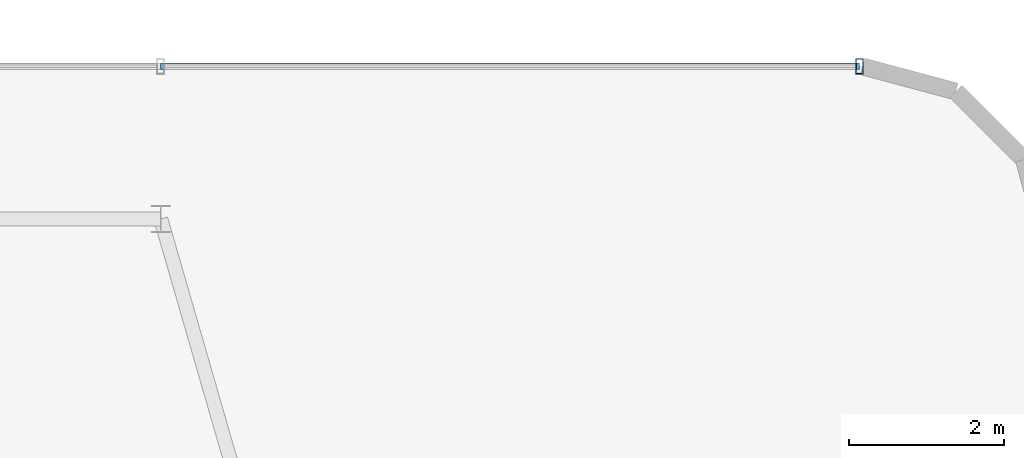
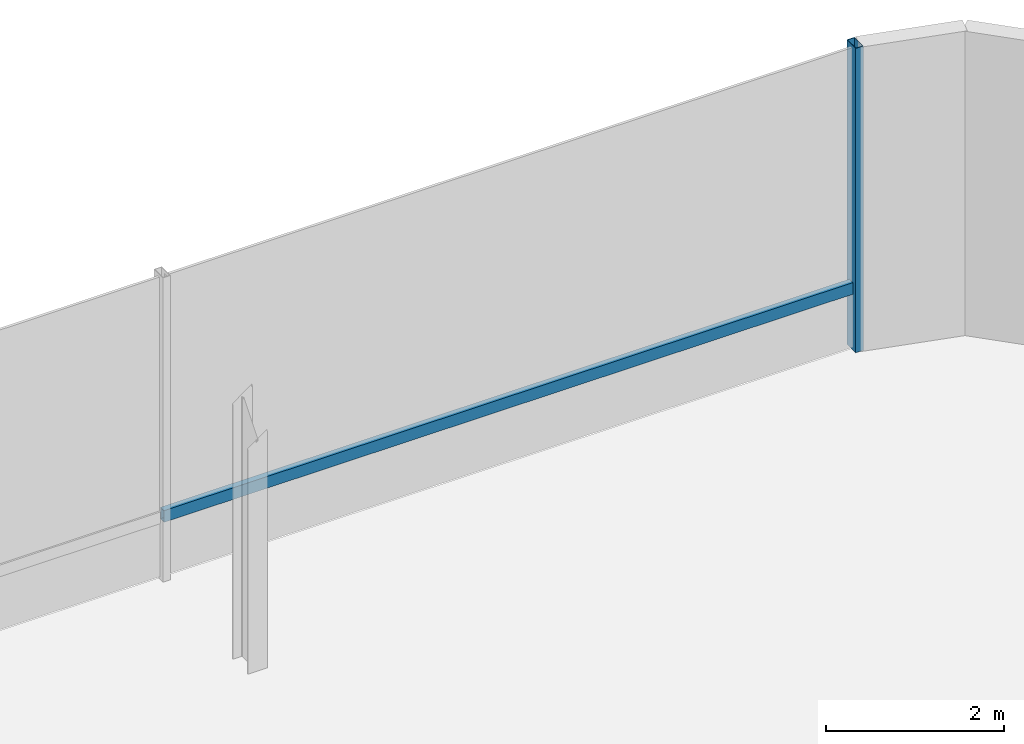
# One storey, part 17 of 32: 2 members, 1 element without a shape of its own.
"""IFC4 building model written with IfcOpenShell, lengths in metres."""

import ifcopenshell
import ifcopenshell.guid

model = None  # the IFC model being written
_history = None  # IfcOwnerHistory: only IFC2X3 demands one
_inside = {}  # id of a spatial element -> (the spatial element, [elements in it])
_under = {}  # id of a project, library or spatial element -> (it, [spatial elements below it])
_declared = {}  # id of a project -> (the project, [libraries it declares])
_typed = {}  # id of a type object -> (the type object, [elements of that type])
_made_of = {}  # id of a material, layer set ... -> (it, [elements and type objects made of it])


def new_model(schema):
    """Start an empty IFC model of exactly this schema.

    Asked for "IFC4X3", IfcOpenShell would pick the latest addendum, in which some entities
    have other attributes; the version numbers below select the first issue.
    IFC2X3 requires an IfcOwnerHistory on every rooted entity: one is made here for all.
    """
    global model, _history
    if schema == "IFC4X3":
        model = ifcopenshell.file(schema_version=(4, 3, 0, 0))
    else:
        model = ifcopenshell.file(schema=schema)
    _inside.clear()
    _under.clear()
    _declared.clear()
    _typed.clear()
    _made_of.clear()
    _history = None
    if model.schema == "IFC2X3":
        org = make("IfcOrganization", Name="unknown")
        user = make(
            "IfcPersonAndOrganization",
            ThePerson=make("IfcPerson", FamilyName="unknown"),
            TheOrganization=org,
        )
        app = make(
            "IfcApplication",
            ApplicationDeveloper=org,
            Version="unknown",
            ApplicationFullName="unknown",
            ApplicationIdentifier="unknown",
        )
        _history = make(
            "IfcOwnerHistory",
            OwningUser=user,
            OwningApplication=app,
            ChangeAction="ADDED",
            CreationDate=0,
        )
    return model


def make(cls, **values):
    """One entity of the class cls with the attributes given. An attribute that is None is left unset."""
    return model.create_entity(
        cls, **{name: value for name, value in values.items() if value is not None}
    )


def rooted(cls, **values):
    """An entity with a GlobalId (a new one), such as an element, a storey or a relation."""
    return make(cls, GlobalId=ifcopenshell.guid.new(), OwnerHistory=_history, **values)


def si_unit(unit_type, name, prefix=None):
    """IfcSIUnit, for example si_unit("LENGTHUNIT", "METRE", prefix="MILLI")."""
    return make("IfcSIUnit", UnitType=unit_type, Prefix=prefix, Name=name)


def assignment(units):
    """IfcUnitAssignment: the units of a project."""
    return None if units is None else make("IfcUnitAssignment", Units=units)


def point(xyz):
    """IfcCartesianPoint."""
    return None if xyz is None else make("IfcCartesianPoint", Coordinates=xyz)


def direction(xyz):
    """IfcDirection."""
    return None if xyz is None else make("IfcDirection", DirectionRatios=xyz)


def frame(location, z_axis=None, x_axis=None):
    """IfcAxis2Placement3D, a coordinate frame: its origin and axes. An axis left out is left unset."""
    return make(
        "IfcAxis2Placement3D",
        Location=point(location),
        Axis=direction(z_axis),
        RefDirection=direction(x_axis),
    )


def frame_2d(location, x_axis=None):
    """IfcAxis2Placement2D, a coordinate frame in the plane: its origin and x axis."""
    return make(
        "IfcAxis2Placement2D", Location=point(location), RefDirection=direction(x_axis)
    )


def origin():
    """The frame at (0, 0, 0) with its axes left unset."""
    return frame((0.0, 0.0, 0.0))


def origin_2d():
    """The frame at (0, 0) in the plane with its x axis left unset."""
    return frame_2d((0.0, 0.0))


def place(relative_to, where):
    """IfcLocalPlacement: puts the frame where relative to a parent placement (None: the world)."""
    return make(
        "IfcLocalPlacement", PlacementRelTo=relative_to, RelativePlacement=where
    )


def context(
    kind, dimensions, precision=None, world=None, true_north=None, identifier=None
):
    """IfcGeometricRepresentationContext, for example the 3D "Model" context."""
    return make(
        "IfcGeometricRepresentationContext",
        ContextIdentifier=identifier,
        ContextType=kind,
        CoordinateSpaceDimension=dimensions,
        Precision=precision,
        WorldCoordinateSystem=world,
        TrueNorth=true_north,
    )


def subcontext(parent, identifier, kind, view, scale=None):
    """IfcGeometricRepresentationSubContext, for example "Body" below "Model"."""
    return make(
        "IfcGeometricRepresentationSubContext",
        ContextIdentifier=identifier,
        ContextType=kind,
        ParentContext=parent,
        TargetScale=scale,
        TargetView=view,
    )


def project(units=None, contexts=None):
    """IfcProject with its units and contexts."""
    return rooted(
        "IfcProject",
        Name="project",
        RepresentationContexts=contexts,
        UnitsInContext=assignment(units),
    )


def spatial(cls, under=None, at=None, **own):
    """A site, building, storey or space (cls), placed at a placement, below another one or the project."""
    s = rooted(cls, ObjectPlacement=at, **own)
    if under is not None:
        _under.setdefault(under.id(), (under, []))[1].append(s)
    return s


def profile(cls, at=None, kind="AREA", **sizes):
    """A parametric profile (cls). Its sizes go by their IFC names, for example OverallWidth=200.0."""
    return make(cls, ProfileType=kind, Position=at, **sizes)


def hollow_rectangle(**sizes):
    """IfcRectangleHollowProfileDef."""
    return profile("IfcRectangleHollowProfileDef", **sizes)


def extrude(swept, where, along, depth):
    """IfcExtrudedAreaSolid: the profile swept, set in the frame where, extruded along a direction by depth."""
    return make(
        "IfcExtrudedAreaSolid",
        SweptArea=swept,
        Position=where,
        ExtrudedDirection=direction(along),
        Depth=depth,
    )


def shape(context_of_items, identifier, shape_type, items):
    """IfcShapeRepresentation: the items that make up one representation, for example the "Body"."""
    return make(
        "IfcShapeRepresentation",
        ContextOfItems=context_of_items,
        RepresentationIdentifier=identifier,
        RepresentationType=shape_type,
        Items=items,
    )


def source(mapping_origin, context_of_items, identifier, shape_type, items):
    """IfcRepresentationMap: a shape defined once, which mapped items show again and again."""
    return make(
        "IfcRepresentationMap",
        MappingOrigin=mapping_origin,
        MappedRepresentation=shape(context_of_items, identifier, shape_type, items),
    )


def transform(
    local_origin,
    x_axis=None,
    y_axis=None,
    z_axis=None,
    scale=None,
    scale2=None,
    scale3=None,
    uniform=True,
):
    """IfcCartesianTransformationOperator3D, or its non-uniform kind. x_axis, y_axis, z_axis: its Axis1, 2, 3."""
    if uniform:
        return make(
            "IfcCartesianTransformationOperator3D",
            Axis1=direction(x_axis),
            Axis2=direction(y_axis),
            LocalOrigin=point(local_origin),
            Scale=scale,
            Axis3=direction(z_axis),
        )
    return make(
        "IfcCartesianTransformationOperator3DnonUniform",
        Axis1=direction(x_axis),
        Axis2=direction(y_axis),
        LocalOrigin=point(local_origin),
        Scale=scale,
        Axis3=direction(z_axis),
        Scale2=scale2,
        Scale3=scale3,
    )


def mapped(mapping_source, mapping_target):
    """IfcMappedItem: shows the shape of a source again, moved by a transform."""
    return make(
        "IfcMappedItem", MappingSource=mapping_source, MappingTarget=mapping_target
    )


def material(Name=None, Category=None):
    """IfcMaterial."""
    return make("IfcMaterial", Name=Name, Category=Category)


def material_profile(
    of_material, cross_section, Name=None, Category=None, Priority=None
):
    """IfcMaterialProfile: a cross section and its material."""
    return make(
        "IfcMaterialProfile",
        Name=Name,
        Material=of_material,
        Profile=cross_section,
        Priority=Priority,
        Category=Category,
    )


def profile_set(profiles, Name=None, composite=None):
    """IfcMaterialProfileSet."""
    return make(
        "IfcMaterialProfileSet",
        Name=Name,
        MaterialProfiles=profiles,
        CompositeProfile=composite,
    )


def made_of(thing, what):
    """Note that an element or type object is made of a material, layer set ...; save() writes the relation."""
    if what is not None:
        _made_of.setdefault(what.id(), (what, []))[1].append(thing)
    return thing


def type_object(cls, material=None, **own):
    """A type object (cls), such as IfcWallType, which elements share."""
    return made_of(rooted(cls, **own), material)


def element(
    cls,
    number,
    at=None,
    inside=None,
    cuts=None,
    type_object=None,
    material=None,
    context=None,
    identifier="Body",
    shape_type=None,
    held_by="IfcProductDefinitionShape",
    body=None,
    shapes=None,
    **own,
):
    """One element of the class cls, such as IfcWall. Its Tag is "e" and its number.

    at: its placement. inside: the storey or other place that contains it. cuts: it is an
    opening in that element (IfcRelVoidsElement). A single representation is given by context,
    identifier, shape_type and body (its items); several are given by shapes. held_by: the class
    of the entity that holds the representations. save() writes the other relations.
    """
    e = rooted(cls, Tag="e%d" % number, ObjectPlacement=at, **own)
    if body is not None:
        shapes = [shape(context, identifier, shape_type, body)]
    if shapes is not None:
        e.Representation = make(held_by, Representations=shapes)
    if inside is not None:
        _inside.setdefault(inside.id(), (inside, []))[1].append(e)
    if cuts is not None:
        rooted(
            "IfcRelVoidsElement", RelatingBuildingElement=cuts, RelatedOpeningElement=e
        )
    if type_object is not None:
        _typed.setdefault(type_object.id(), (type_object, []))[1].append(e)
    return made_of(e, material)


def aggregate(whole, parts):
    """IfcRelAggregates: a whole, such as a stair, and the parts it consists of."""
    return rooted("IfcRelAggregates", RelatingObject=whole, RelatedObjects=parts)


def save(model, path):
    """Write the relations noted so far, then the file.

    IfcRelAggregates (storeys below a building ...), IfcRelContainedInSpatialStructure (elements
    in a storey), IfcRelDefinesByType, IfcRelAssociatesMaterial and IfcRelDeclares: one each for
    every whole, place, type object, material and project.
    """
    for whole, parts in _under.values():
        aggregate(whole, parts)
    for where, things in _inside.values():
        rooted(
            "IfcRelContainedInSpatialStructure",
            RelatedElements=things,
            RelatingStructure=where,
        )
    for kind, things in _typed.values():
        rooted("IfcRelDefinesByType", RelatedObjects=things, RelatingType=kind)
    for what, things in _made_of.values():
        rooted("IfcRelAssociatesMaterial", RelatedObjects=things, RelatingMaterial=what)
    for by, libraries in _declared.values():
        rooted("IfcRelDeclares", RelatingContext=by, RelatedDefinitions=libraries)
    model.write(path)


model = new_model("IFC4")

# Units and contexts
model_context = context("Model", 3, precision=1e-05, world=origin(), true_north=direction((0.0, 1.0)))
body_context = subcontext(model_context, "Body", "Model", "MODEL_VIEW")
ifc_project = project(units=[si_unit("LENGTHUNIT", "METRE"), si_unit("AREAUNIT", "SQUARE_METRE"), si_unit("VOLUMEUNIT", "CUBIC_METRE"), si_unit("PLANEANGLEUNIT", "RADIAN"), si_unit("MASSUNIT", "GRAM", prefix="KILO")], contexts=[model_context])

# Site, building, storey
site_placement = place(None, origin())
site = spatial("IfcSite", under=ifc_project, at=site_placement, CompositionType="ELEMENT")
building_placement = place(site_placement, origin())
building = spatial("IfcBuilding", under=site, at=building_placement, Name="Sahyath Konkavel Grand Hotel", CompositionType="ELEMENT")
storey_placement = place(building_placement, frame((0.0, 0.0, 14.10009765625)))
storey = spatial("IfcBuildingStorey", under=building, at=storey_placement, Name="L03", CompositionType="ELEMENT", Elevation=14.10009765625)

# Curtain wall, members
ifc_material_1 = material(Name="Anodised Bronze Aluminium & Low-E Glazing", Category="aluminium")
curtain_wall_type = type_object("IfcCurtainWallType", Name="CW-PODIUM", PredefinedType="NOTDEFINED", material=ifc_material_1)
curtain_wall_placement = place(storey_placement, origin())
curtain_wall = element("IfcCurtainWall", 1, at=curtain_wall_placement, inside=storey, type_object=curtain_wall_type, Name="L03 Unitised Curtain Wall N", PredefinedType="NOTDEFINED")
ifc_material_2 = material(Name="Anodised Bronze Aluminium", Category="aluminium")
ifc_material_profile_1 = material_profile(ifc_material_2, hollow_rectangle(XDim=0.10009765625, YDim=0.199951171875, WallThickness=0.008056640625, at=origin_2d()), Name="RHS 200x100x8")
ifc_profile_set_1 = profile_set([ifc_material_profile_1], Name="Anodised Bronze Aluminium")
member_type_1 = type_object("IfcMemberType", Name="CW-MUL-200", PredefinedType="MULLION", material=ifc_profile_set_1)
shared_shape_1 = source(origin(), body_context, "Body", "SweptSolid", [
    extrude(hollow_rectangle(XDim=0.10009765625, YDim=0.199951171875, WallThickness=0.008056640625, at=origin_2d()), origin(), (0.0, 0.0, 1.0), 4.179931640625),
])
member_1_placement = place(storey_placement, frame((26.99609375, 22.465087890625, 0.0), z_axis=(0.0, 0.0, 1.0), x_axis=(1.0, 0.0, 0.0)))
member_1 = element("IfcMember", 2, at=member_1_placement, type_object=member_type_1, Name="L03 Curtain Wall Mullion N-0", PredefinedType="MULLION", context=body_context, shape_type="MappedRepresentation", body=[
    mapped(shared_shape_1, transform((0.0, 0.0, 0.0), scale=1.0)),
])
ifc_material_profile_2 = material_profile(ifc_material_2, hollow_rectangle(XDim=0.080078125, YDim=0.159912109375, WallThickness=0.006103515625, at=origin_2d()), Name="RHS 160x80x6")
ifc_profile_set_2 = profile_set([ifc_material_profile_2], Name="Anodised Bronze Aluminium")
member_type_2 = type_object("IfcMemberType", Name="CW-TRN-160", PredefinedType="USERDEFINED", material=ifc_profile_set_2)
shared_shape_2 = source(origin(), body_context, "Body", "SweptSolid", [
    extrude(hollow_rectangle(XDim=0.080078125, YDim=0.159912109375, WallThickness=0.006103515625, at=origin_2d()), origin(), (0.0, 0.0, 1.0), 8.998779296875),
])
member_2_placement = place(storey_placement, frame((26.99609375, 22.465087890625, 0.849853515625), z_axis=(-1.0, 0.0, 0.0), x_axis=(0.0, -1.0, 0.0)))
member_2 = element("IfcMember", 3, at=member_2_placement, type_object=member_type_2, Name="L03 Curtain Wall Transom N-0-spandrel", ObjectType="TRANSOM", PredefinedType="USERDEFINED", context=body_context, shape_type="MappedRepresentation", body=[
    mapped(shared_shape_2, transform((0.0, 0.0, 0.0), scale=1.0)),
])
aggregate(curtain_wall, [member_1, member_2])

save(model, "model.ifc")
